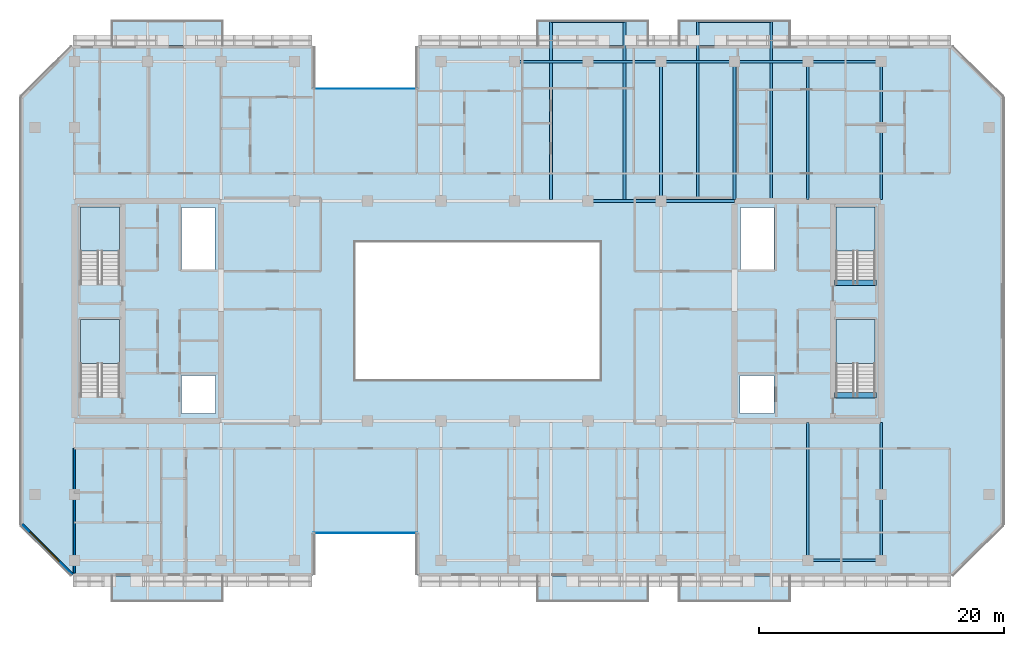
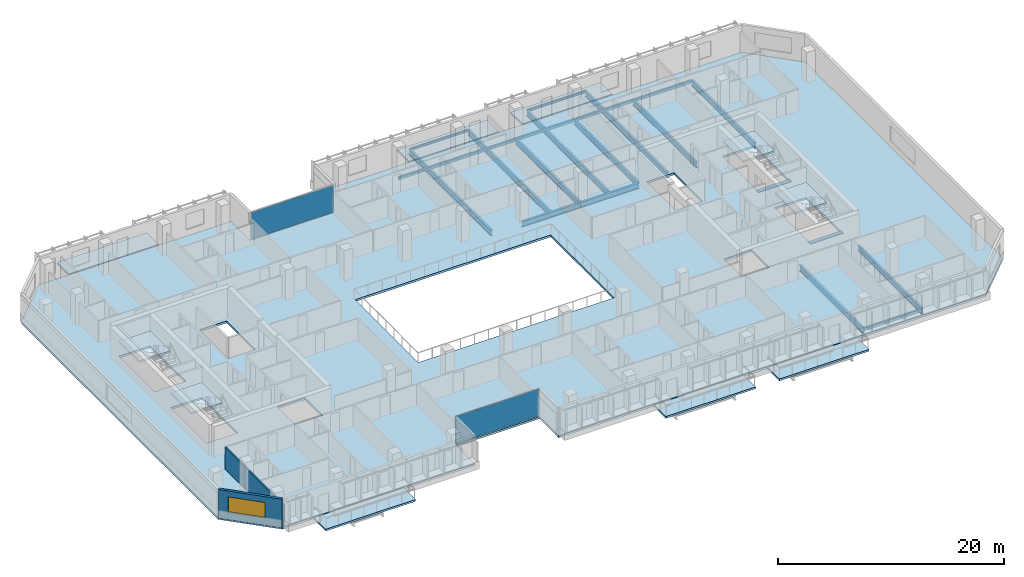
# One storey, part 8 of 20: 22 beams, 11 slabs, 2 plates, 2 walls, 1 window, 1 opening, 6 elements without a shape of their own.
"""IFC4 building model written with IfcOpenShell, lengths in metres."""

from ifc_helpers import new_model, si_unit, direction, frame, frame_2d, origin, origin_2d, place, context, subcontext, project, spatial, polyline, rectangle, hollow_rectangle, i_section, outline, extrude, material, layer, layer_set, material_profile, profile_set, type_object, element, fill, aggregate, save


model = new_model("IFC4")

# Units and contexts
model_context = context("Model", 3, precision=1e-05, world=origin(), true_north=direction((0.0, 1.0)))
body_context = subcontext(model_context, "Body", "Model", "MODEL_VIEW")
ifc_project = project(units=[si_unit("LENGTHUNIT", "METRE"), si_unit("AREAUNIT", "SQUARE_METRE"), si_unit("VOLUMEUNIT", "CUBIC_METRE"), si_unit("PLANEANGLEUNIT", "RADIAN"), si_unit("MASSUNIT", "GRAM", prefix="KILO")], contexts=[model_context])

# Site, building, storey
site_placement = place(None, origin())
site = spatial("IfcSite", under=ifc_project, at=site_placement, CompositionType="ELEMENT")
building_placement = place(site_placement, origin())
building = spatial("IfcBuilding", under=site, at=building_placement, Name="Tanjung Sevakor Pilgrim Tower", CompositionType="ELEMENT")
storey_placement = place(building_placement, frame((0.0, 0.0, 141.89990234375)))
storey = spatial("IfcBuildingStorey", under=building, at=storey_placement, Name="L39", CompositionType="ELEMENT", Elevation=141.89990234375)

# Beams
ifc_material_1 = material(Name="Steel S355J2", Category="steel")
ifc_material_profile_1 = material_profile(ifc_material_1, i_section(OverallWidth=0.230224609375, OverallDepth=0.6171875, WebThickness=0.01318359375, FlangeThickness=0.022216796875, FilletRadius=0.0126953125, at=origin_2d()))
ifc_profile_set_1 = profile_set([ifc_material_profile_1], Name="Steel S355J2")
beam_type_1 = type_object("IfcBeamType", Name="BM-B-G3-UB_610x229x140", PredefinedType="BEAM", material=ifc_profile_set_1)
for number, where, z_axis, x_axis, name in (
    (1, (66.0, 42.60009765625, -0.528564453125), (1.0, 0.0, 0.0), (0.0, 1.0, 0.0), "L39 Primary Floor Girder MAIN Y426-06"),
    (2, (72.0, 42.60009765625, -0.528564453125), (1.0, 0.0, 0.0), (0.0, 1.0, 0.0), "L39 Primary Floor Girder MAIN Y426-07"),
):
    element("IfcBeam", number, at=place(storey_placement, frame(where, z_axis=z_axis, x_axis=x_axis)), inside=storey, type_object=beam_type_1, Name=name, PredefinedType="BEAM", context=body_context, shape_type="SweptSolid", body=[
        extrude(i_section(OverallWidth=0.230224609375, OverallDepth=0.6171875, WebThickness=0.01318359375, FlangeThickness=0.022216796875, FilletRadius=0.0126953125, at=origin_2d()), origin(), (0.0, 0.0, 1.0), 6.0),
    ])
ifc_material_2 = material(Name="Steel S355J2", Category="steel")
ifc_material_profile_2 = material_profile(ifc_material_2, i_section(OverallWidth=0.22900390625, OverallDepth=0.6123046875, WebThickness=0.011962890625, FlangeThickness=0.01953125, FilletRadius=0.0126953125, at=origin_2d()))
ifc_profile_set_2 = profile_set([ifc_material_profile_2], Name="Steel S355J2")
beam_type_2 = type_object("IfcBeamType", Name="BM-B-G4-UB_610x229x125", PredefinedType="BEAM", material=ifc_profile_set_2)
for number, where, z_axis, x_axis, name in (
    (3, (63.0, 42.715087890625, -0.526123046875), (0.0, 1.0, 0.0), (-1.0, 0.0, 0.0), "L39 Balcony Cantilever Beam MAIN-N2-1"),
    (4, (69.0, 42.715087890625, -0.526123046875), (0.0, 1.0, 0.0), (-1.0, 0.0, 0.0), "L39 Balcony Cantilever Beam MAIN-N2-2"),
):
    element("IfcBeam", number, at=place(storey_placement, frame(where, z_axis=z_axis, x_axis=x_axis)), inside=storey, type_object=beam_type_2, Name=name, PredefinedType="BEAM", context=body_context, shape_type="SweptSolid", body=[
        extrude(i_section(OverallWidth=0.22900390625, OverallDepth=0.6123046875, WebThickness=0.011962890625, FlangeThickness=0.01953125, FilletRadius=0.0126953125, at=origin_2d()), origin(), (0.0, 0.0, 1.0), 14.56494140625),
    ])
beam_1_placement = place(storey_placement, frame((72.0, 42.60009765625, -0.526123046875), z_axis=(0.0, 1.0, 0.0), x_axis=(-1.0, 0.0, 0.0)))
element("IfcBeam", 5, at=beam_1_placement, inside=storey, type_object=beam_type_2, Name="L39 MAIN Girder 016", PredefinedType="BEAM", context=body_context, shape_type="SweptSolid", body=[
    extrude(i_section(OverallWidth=0.22900390625, OverallDepth=0.6123046875, WebThickness=0.011962890625, FlangeThickness=0.01953125, FilletRadius=0.0126953125, at=origin_2d()), origin(), (0.0, 0.0, 1.0), 11.39990234375),
])
beam_2_placement = place(storey_placement, frame((75.0, 42.715087890625, -0.526123046875), z_axis=(0.0, 1.0, 0.0), x_axis=(-1.0, 0.0, 0.0)))
element("IfcBeam", 6, at=beam_2_placement, inside=storey, type_object=beam_type_2, Name="L39 Balcony Cantilever Beam MAIN-N3-1", PredefinedType="BEAM", context=body_context, shape_type="SweptSolid", body=[
    extrude(i_section(OverallWidth=0.22900390625, OverallDepth=0.6123046875, WebThickness=0.011962890625, FlangeThickness=0.01953125, FilletRadius=0.0126953125, at=origin_2d()), origin(), (0.0, 0.0, 1.0), 14.56494140625),
])
beam_3_placement = place(storey_placement, frame((78.0, 42.715087890625, -0.526123046875), z_axis=(0.0, 1.0, 0.0), x_axis=(-1.0, 0.0, 0.0)))
element("IfcBeam", 7, at=beam_3_placement, inside=storey, type_object=beam_type_2, Name="L39 MAIN Girder 018", PredefinedType="BEAM", context=body_context, shape_type="SweptSolid", body=[
    extrude(i_section(OverallWidth=0.22900390625, OverallDepth=0.6123046875, WebThickness=0.011962890625, FlangeThickness=0.01953125, FilletRadius=0.0126953125, at=origin_2d()), origin(), (0.0, 0.0, 1.0), 11.284912109375),
])
beam_4_placement = place(storey_placement, frame((81.0, 42.715087890625, -0.526123046875), z_axis=(0.0, 1.0, 0.0), x_axis=(-1.0, 0.0, 0.0)))
element("IfcBeam", 8, at=beam_4_placement, inside=storey, type_object=beam_type_2, Name="L39 Balcony Cantilever Beam MAIN-N3-2", PredefinedType="BEAM", context=body_context, shape_type="SweptSolid", body=[
    extrude(i_section(OverallWidth=0.22900390625, OverallDepth=0.6123046875, WebThickness=0.011962890625, FlangeThickness=0.01953125, FilletRadius=0.0126953125, at=origin_2d()), origin(), (0.0, 0.0, 1.0), 14.56494140625),
])
for number, where, z_axis, x_axis, name in (
    (9, (84.0, 13.199951171875, -0.526123046875), (0.0, 1.0, 0.0), (-1.0, 0.0, 0.0), "L39 MAIN Girder 019"),
    (10, (84.0, 42.715087890625, -0.526123046875), (0.0, 1.0, 0.0), (-1.0, 0.0, 0.0), "L39 MAIN Girder 020"),
    (11, (90.0, 13.199951171875, -0.526123046875), (0.0, 1.0, 0.0), (-1.0, 0.0, 0.0), "L39 MAIN Girder 021"),
    (12, (90.0, 42.715087890625, -0.526123046875), (0.0, 1.0, 0.0), (-1.0, 0.0, 0.0), "L39 MAIN Girder 022"),
):
    element("IfcBeam", number, at=place(storey_placement, frame(where, z_axis=z_axis, x_axis=x_axis)), inside=storey, type_object=beam_type_2, Name=name, PredefinedType="BEAM", context=body_context, shape_type="SweptSolid", body=[
        extrude(i_section(OverallWidth=0.22900390625, OverallDepth=0.6123046875, WebThickness=0.011962890625, FlangeThickness=0.01953125, FilletRadius=0.0126953125, at=origin_2d()), origin(), (0.0, 0.0, 1.0), 11.284912109375),
    ])
ifc_material_3 = material(Name="Steel S355J2", Category="steel")
ifc_material_profile_3 = material_profile(ifc_material_3, i_section(OverallWidth=0.146484375, OverallDepth=0.256103515625, WebThickness=0.00634765625, FlangeThickness=0.010986328125, FilletRadius=0.007568359375, at=origin_2d()))
ifc_profile_set_3 = profile_set([ifc_material_profile_3], Name="Steel S355J2")
beam_type_3 = type_object("IfcBeamType", Name="BM-B-J6-UB_254x146x37", PredefinedType="JOIST", material=ifc_profile_set_3)
for number, where, z_axis, x_axis, name in (
    (13, (63.0, 57.280029296875, -0.327880859375), (1.0, 0.0, 0.0), (0.0, 1.0, 0.0), "L39 Balcony Rim Tie MAIN-N2"),
    (14, (75.0, 57.280029296875, -0.327880859375), (1.0, 0.0, 0.0), (0.0, 1.0, 0.0), "L39 Balcony Rim Tie MAIN-N3"),
):
    element("IfcBeam", number, at=place(storey_placement, frame(where, z_axis=z_axis, x_axis=x_axis)), inside=storey, type_object=beam_type_3, Name=name, PredefinedType="JOIST", context=body_context, shape_type="SweptSolid", body=[
        extrude(i_section(OverallWidth=0.146484375, OverallDepth=0.256103515625, WebThickness=0.00634765625, FlangeThickness=0.010986328125, FilletRadius=0.007568359375, at=origin_2d()), origin(), (0.0, 0.0, 1.0), 6.0),
    ])
ifc_material_4 = material(Name="Concrete C60/75", Category="concrete")
ifc_material_profile_4 = material_profile(ifc_material_4, rectangle(XDim=0.449951171875, YDim=0.699951171875, at=origin_2d()))
ifc_profile_set_4 = profile_set([ifc_material_profile_4], Name="Concrete C60/75")
beam_type_4 = type_object("IfcBeamType", Name="BM-B-LN3-RC-BM_450x700", PredefinedType="LINTEL", material=ifc_profile_set_4)
for number, where, z_axis, x_axis, name in (
    (15, (86.199951171875, 26.699951171875, -0.349853515625), (1.0, 0.0, 0.0), (0.0, 1.0, 0.0), "L39 TS-E1 Stair Threshold Beam"),
    (16, (86.199951171875, 35.89990234375, -0.349853515625), (1.0, 0.0, 0.0), (0.0, 1.0, 0.0), "L39 TS-E2 Stair Threshold Beam"),
):
    element("IfcBeam", number, at=place(storey_placement, frame(where, z_axis=z_axis, x_axis=x_axis)), inside=storey, type_object=beam_type_4, Name=name, PredefinedType="LINTEL", context=body_context, shape_type="SweptSolid", body=[
        extrude(rectangle(XDim=0.449951171875, YDim=0.699951171875, at=origin_2d()), origin(), (0.0, 0.0, 1.0), 3.400146484375),
    ])
ifc_material_5 = material(Name="Steel S355J2", Category="steel")
ifc_material_profile_5 = material_profile(ifc_material_5, hollow_rectangle(XDim=0.199951171875, YDim=0.300048828125, WallThickness=0.012451171875, at=origin_2d()))
ifc_profile_set_5 = profile_set([ifc_material_profile_5], Name="Steel S355J2")
beam_type_5 = type_object("IfcBeamType", Name="BM-B-SP3-RHS_300x200x12.5", PredefinedType="SPANDREL", material=ifc_profile_set_5)
for number, where, z_axis, x_axis, name in (
    (17, (60.0, 54.0, -0.369873046875), (1.0, 0.0, 0.0), (0.0, 1.0, 0.0), "L39 Spandrel MAIN N-10"),
    (18, (66.0, 54.0, -0.369873046875), (1.0, 0.0, 0.0), (0.0, 1.0, 0.0), "L39 Spandrel MAIN N-12"),
    (19, (72.0, 54.0, -0.369873046875), (1.0, 0.0, 0.0), (0.0, 1.0, 0.0), "L39 Spandrel MAIN N-14"),
    (20, (78.0, 54.0, -0.369873046875), (1.0, 0.0, 0.0), (0.0, 1.0, 0.0), "L39 Spandrel MAIN N-16"),
    (21, (84.0, 13.199951171875, -0.369873046875), (1.0, 0.0, 0.0), (0.0, 1.0, 0.0), "L39 Spandrel MAIN S-17"),
    (22, (84.0, 54.0, -0.369873046875), (1.0, 0.0, 0.0), (0.0, 1.0, 0.0), "L39 Spandrel MAIN N-18"),
):
    element("IfcBeam", number, at=place(storey_placement, frame(where, z_axis=z_axis, x_axis=x_axis)), inside=storey, type_object=beam_type_5, Name=name, PredefinedType="SPANDREL", context=body_context, shape_type="SweptSolid", body=[
        extrude(hollow_rectangle(XDim=0.199951171875, YDim=0.300048828125, WallThickness=0.012451171875, at=origin_2d()), origin(), (0.0, 0.0, 1.0), 6.0),
    ])

# Slabs
ifc_material_6 = material(Name="Concrete C40/50", Category="concrete")
ifc_layer_1 = layer(ifc_material_6, 0.199951171875)
ifc_layer_set_1 = layer_set([ifc_layer_1], Name="SL-BAL-200")
slab_type_1 = type_object("IfcSlabType", Name="SL-BAL-200", PredefinedType="FLOOR", material=ifc_layer_set_1)
slab_1_placement = place(storey_placement, frame((0.0, 0.0, -0.199951171875)))
element("IfcSlab", 23, at=slab_1_placement, inside=storey, type_object=slab_type_1, Name="L39 Planted Loggia Balcony MAIN-S1", PredefinedType="FLOOR", context=body_context, shape_type="SweptSolid", body=[
    extrude(outline(polyline([(27.0, 9.800048828125), (36.199951171875, 9.800048828125), (36.199951171875, 11.89990234375), (27.0, 11.89990234375), (27.0, 9.800048828125)])), origin(), (0.0, 0.0, 1.0), 0.199951171875),
])
slab_2_placement = place(storey_placement, frame((0.0, 0.0, -0.199951171875)))
element("IfcSlab", 24, at=slab_2_placement, inside=storey, type_object=slab_type_1, Name="L39 Planted Loggia Balcony MAIN-N1", PredefinedType="FLOOR", context=body_context, shape_type="SweptSolid", body=[
    extrude(outline(polyline([(27.0, 55.300048828125), (36.199951171875, 55.300048828125), (36.199951171875, 57.39990234375), (27.0, 57.39990234375), (27.0, 55.300048828125)])), origin(), (0.0, 0.0, 1.0), 0.199951171875),
])
slab_3_placement = place(storey_placement, frame((0.0, 0.0, -0.199951171875)))
element("IfcSlab", 25, at=slab_3_placement, inside=storey, type_object=slab_type_1, Name="L39 Planted Loggia Balcony MAIN-S2", PredefinedType="FLOOR", context=body_context, shape_type="SweptSolid", body=[
    extrude(outline(polyline([(61.800048828125, 9.800048828125), (71.0, 9.800048828125), (71.0, 11.89990234375), (61.800048828125, 11.89990234375), (61.800048828125, 9.800048828125)])), origin(), (0.0, 0.0, 1.0), 0.199951171875),
])
slab_4_placement = place(storey_placement, frame((0.0, 0.0, -0.199951171875)))
element("IfcSlab", 26, at=slab_4_placement, inside=storey, type_object=slab_type_1, Name="L39 Planted Loggia Balcony MAIN-N2", PredefinedType="FLOOR", context=body_context, shape_type="SweptSolid", body=[
    extrude(outline(polyline([(61.800048828125, 55.300048828125), (71.0, 55.300048828125), (71.0, 57.39990234375), (61.800048828125, 57.39990234375), (61.800048828125, 55.300048828125)])), origin(), (0.0, 0.0, 1.0), 0.199951171875),
])
slab_5_placement = place(storey_placement, frame((0.0, 0.0, -0.199951171875)))
element("IfcSlab", 27, at=slab_5_placement, inside=storey, type_object=slab_type_1, Name="L39 Planted Loggia Balcony MAIN-S3", PredefinedType="FLOOR", context=body_context, shape_type="SweptSolid", body=[
    extrude(outline(polyline([(73.39990234375, 9.800048828125), (82.60009765625, 9.800048828125), (82.60009765625, 11.89990234375), (73.39990234375, 11.89990234375), (73.39990234375, 9.800048828125)])), origin(), (0.0, 0.0, 1.0), 0.199951171875),
])
slab_6_placement = place(storey_placement, frame((0.0, 0.0, -0.199951171875)))
element("IfcSlab", 28, at=slab_6_placement, inside=storey, type_object=slab_type_1, Name="L39 Planted Loggia Balcony MAIN-N3", PredefinedType="FLOOR", context=body_context, shape_type="SweptSolid", body=[
    extrude(outline(polyline([(73.39990234375, 55.300048828125), (82.60009765625, 55.300048828125), (82.60009765625, 57.39990234375), (73.39990234375, 57.39990234375), (73.39990234375, 55.300048828125)])), origin(), (0.0, 0.0, 1.0), 0.199951171875),
])

# Stair, slab
ifc_material_7 = material(Name="Concrete C40/50", Category="concrete")
stair_type = type_object("IfcStairType", Name="STAIR-ST-CR150", PredefinedType="HALF_TURN_STAIR", material=ifc_material_7)
stair_1_placement = place(storey_placement, origin())
stair_1 = element("IfcStair", 29, at=stair_1_placement, inside=storey, type_object=stair_type, Name="L39 West Core Exit Stair 1", PredefinedType="HALF_TURN_STAIR")
ifc_material_8 = material(Name="Concrete C40/50", Category="concrete")
ifc_layer_2 = layer(ifc_material_8, 0.199951171875)
ifc_layer_set_2 = layer_set([ifc_layer_2], Name="SL-LAND-200")
slab_type_2 = type_object("IfcSlabType", Name="SL-LAND-200", PredefinedType="LANDING", material=ifc_layer_set_2)
slab_7_placement = place(storey_placement, frame((0.0, 0.0, 1.4501953125)))
slab_7 = element("IfcSlab", 30, at=slab_7_placement, type_object=slab_type_2, Name="TS-W1 landing 1", PredefinedType="LANDING", context=body_context, shape_type="SweptSolid", body=[
    extrude(outline(polyline([(27.699951171875, 29.300048828125), (27.699951171875, 32.89990234375), (24.5, 32.89990234375), (24.5, 29.300048828125), (27.699951171875, 29.300048828125)])), origin(), (0.0, 0.0, 1.0), 0.199951171875),
])
aggregate(stair_1, [slab_7])

stair_2_placement = place(storey_placement, origin())
stair_2 = element("IfcStair", 31, at=stair_2_placement, inside=storey, type_object=stair_type, Name="L39 West Core Exit Stair 2", PredefinedType="HALF_TURN_STAIR")
slab_8_placement = place(storey_placement, frame((0.0, 0.0, 1.4501953125)))
slab_8 = element("IfcSlab", 32, at=slab_8_placement, type_object=slab_type_2, Name="TS-W2 landing 1", PredefinedType="LANDING", context=body_context, shape_type="SweptSolid", body=[
    extrude(outline(polyline([(27.699951171875, 38.5), (27.699951171875, 42.10009765625), (24.5, 42.10009765625), (24.5, 38.5), (27.699951171875, 38.5)])), origin(), (0.0, 0.0, 1.0), 0.199951171875),
])
aggregate(stair_2, [slab_8])

stair_3_placement = place(storey_placement, origin())
stair_3 = element("IfcStair", 33, at=stair_3_placement, inside=storey, type_object=stair_type, Name="L39 East Core Exit Stair 1", PredefinedType="HALF_TURN_STAIR")
slab_9_placement = place(storey_placement, frame((0.0, 0.0, 1.4501953125)))
slab_9 = element("IfcSlab", 34, at=slab_9_placement, type_object=slab_type_2, Name="TS-E1 landing 1", PredefinedType="LANDING", context=body_context, shape_type="SweptSolid", body=[
    extrude(outline(polyline([(89.5, 29.300048828125), (89.5, 32.89990234375), (86.300048828125, 32.89990234375), (86.300048828125, 29.300048828125), (89.5, 29.300048828125)])), origin(), (0.0, 0.0, 1.0), 0.199951171875),
])
aggregate(stair_3, [slab_9])

stair_4_placement = place(storey_placement, origin())
stair_4 = element("IfcStair", 35, at=stair_4_placement, inside=storey, type_object=stair_type, Name="L39 East Core Exit Stair 2", PredefinedType="HALF_TURN_STAIR")
slab_10_placement = place(storey_placement, frame((0.0, 0.0, 1.4501953125)))
slab_10 = element("IfcSlab", 36, at=slab_10_placement, type_object=slab_type_2, Name="TS-E2 landing 1", PredefinedType="LANDING", context=body_context, shape_type="SweptSolid", body=[
    extrude(outline(polyline([(89.5, 38.5), (89.5, 42.10009765625), (86.300048828125, 42.10009765625), (86.300048828125, 38.5), (89.5, 38.5)])), origin(), (0.0, 0.0, 1.0), 0.199951171875),
])
aggregate(stair_4, [slab_10])

# Slab
ifc_material_9 = material(Name="Concrete C40/50", Category="concrete")
ifc_layer_3 = layer(ifc_material_9, 0.219970703125)
ifc_layer_set_3 = layer_set([ifc_layer_3], Name="SL-TWR-220")
slab_type_3 = type_object("IfcSlabType", Name="SL-TWR-220", PredefinedType="FLOOR", material=ifc_layer_set_3)
slab_11_placement = place(storey_placement, frame((0.0, 0.0, -0.219970703125)))
element("IfcSlab", 37, at=slab_11_placement, inside=storey, type_object=slab_type_3, Name="L39 Floor Slab MAIN", PredefinedType="FLOOR", context=body_context, shape_type="SweptSolid", body=[
    extrude(outline(polyline([(23.846923828125, 11.97998046875), (43.52001953125, 11.97998046875), (43.52001953125, 15.3798828125), (52.080078125, 15.3798828125), (52.080078125, 11.97998046875), (95.753173828125, 11.97998046875), (99.919921875, 16.14697265625), (99.919921875, 51.052978515625), (95.753173828125, 55.219970703125), (52.080078125, 55.219970703125), (52.080078125, 51.820068359375), (43.52001953125, 51.820068359375), (43.52001953125, 55.219970703125), (23.846923828125, 55.219970703125), (19.679931640625, 51.052978515625), (19.679931640625, 16.14697265625), (23.846923828125, 11.97998046875)]), holes=[polyline([(27.699951171875, 26.60009765625), (27.699951171875, 32.89990234375), (24.5, 32.89990234375), (24.5, 26.60009765625), (27.699951171875, 26.60009765625)]), polyline([(27.699951171875, 35.800048828125), (27.699951171875, 42.10009765625), (24.5, 42.10009765625), (24.5, 35.800048828125), (27.699951171875, 35.800048828125)]), polyline([(89.5, 26.60009765625), (89.5, 32.89990234375), (86.300048828125, 32.89990234375), (86.300048828125, 26.60009765625), (89.5, 26.60009765625)]), polyline([(89.5, 35.800048828125), (89.5, 42.10009765625), (86.300048828125, 42.10009765625), (86.300048828125, 35.800048828125), (89.5, 35.800048828125)]), polyline([(32.75, 25.199951171875), (35.550048828125, 25.199951171875), (35.550048828125, 28.300048828125), (32.75, 28.300048828125), (32.75, 25.199951171875)]), polyline([(32.75, 37.0), (35.5, 37.0), (35.5, 42.050048828125), (32.75, 42.050048828125), (32.75, 37.0)]), polyline([(78.449951171875, 25.199951171875), (81.25, 25.199951171875), (81.25, 28.300048828125), (78.449951171875, 28.300048828125), (78.449951171875, 25.199951171875)]), polyline([(78.5, 37.0), (81.25, 37.0), (81.25, 42.050048828125), (78.5, 42.050048828125), (78.5, 37.0)]), polyline([(47.0, 28.0), (67.0, 28.0), (67.0, 39.199951171875), (47.0, 39.199951171875), (47.0, 28.0)])]), origin(), (0.0, 0.0, 1.0), 0.219970703125),
])

# Curtain wall, plate
ifc_material_10 = material(Name="Aluminium 6063-T6 and Low-E Glass", Category="aluminium")
ifc_layer_4 = layer(ifc_material_10, 0.179931640625)
ifc_layer_set_4 = layer_set([ifc_layer_4], Name="CW-SYS-CLEFT")
curtain_wall_type = type_object("IfcCurtainWallType", Name="CW-SYS-CLEFT", PredefinedType="NOTDEFINED", material=ifc_layer_set_4)
curtain_wall_1_placement = place(storey_placement, origin())
curtain_wall_1 = element("IfcCurtainWall", 38, at=curtain_wall_1_placement, inside=storey, type_object=curtain_wall_type, Name="L39 Curtain Wall CW-CLF-L39-2", PredefinedType="NOTDEFINED")
ifc_material_11 = material(Name="Laminated Low-E Double Glazing", Category="glass")
ifc_layer_5 = layer(ifc_material_11, 0.028076171875)
ifc_layer_set_5 = layer_set([ifc_layer_5], Name="TYPE-CWP-GLZ1")
plate_type = type_object("IfcPlateType", Name="TYPE-CWP-GLZ1", PredefinedType="CURTAIN_PANEL", material=ifc_layer_set_5)
plate_1_placement = place(storey_placement, frame((47.800048828125, 15.425048828125, 0.06494140625), z_axis=(0.0, 0.0, 1.0), x_axis=(1.0, 0.0, 0.0)))
plate_1 = element("IfcPlate", 39, at=plate_1_placement, type_object=plate_type, Name="CW-CLF panel 1.1", PredefinedType="CURTAIN_PANEL", context=body_context, shape_type="SweptSolid", body=[
    extrude(rectangle(XDim=8.5, YDim=0.028076171875, at=origin_2d()), origin(), (0.0, 0.0, 1.0), 2.949951171875),
])
aggregate(curtain_wall_1, [plate_1])

curtain_wall_2_placement = place(storey_placement, origin())
curtain_wall_2 = element("IfcCurtainWall", 40, at=curtain_wall_2_placement, inside=storey, type_object=curtain_wall_type, Name="L39 Curtain Wall CW-CLF-L39-10", PredefinedType="NOTDEFINED")
plate_2_placement = place(storey_placement, frame((47.800048828125, 51.77490234375, 0.06494140625), z_axis=(0.0, 0.0, 1.0), x_axis=(-1.0, 0.0, 0.0)))
plate_2 = element("IfcPlate", 41, at=plate_2_placement, type_object=plate_type, Name="CW-CLF panel 1.1", PredefinedType="CURTAIN_PANEL", context=body_context, shape_type="SweptSolid", body=[
    extrude(rectangle(XDim=8.5, YDim=0.028076171875, at=origin_2d()), origin(), (0.0, 0.0, 1.0), 2.949951171875),
])
aggregate(curtain_wall_2, [plate_2])

# Wall
ifc_material_12 = material(Name="Concrete C40/50", Category="concrete")
ifc_layer_6 = layer(ifc_material_12, 0.14990234375)
ifc_layer_set_6 = layer_set([ifc_layer_6], Name="WT-COMP-150")
wall_type_1 = type_object("IfcWallType", Name="WT-COMP-150", PredefinedType="SOLIDWALL", material=ifc_layer_set_6)
wall_1_placement = place(storey_placement, frame((24.0, 12.14990234375, 0.0), z_axis=(0.0, 0.0, 1.0), x_axis=(0.0, 1.0, 0.0)))
element("IfcWall", 42, at=wall_1_placement, inside=storey, type_object=wall_type_1, Name="L39 Partition IW-L39-045", PredefinedType="SOLIDWALL", context=body_context, shape_type="SweptSolid", body=[
    extrude(rectangle(XDim=10.2001953125, YDim=0.14990234375, at=frame_2d((5.10009765625, 0.0))), origin(), (0.0, 0.0, 1.0), 2.35009765625),
])

# Wall, opening, window
ifc_material_13 = material(Name="Precast concrete C45/55", Category="concrete")
ifc_layer_7 = layer(ifc_material_13, 0.25)
ifc_layer_set_7 = layer_set([ifc_layer_7], Name="WT-EW-STN3")
wall_type_2 = type_object("IfcWallType", Name="WT-EW-STN3", PredefinedType="SOLIDWALL", material=ifc_layer_set_7)
wall_2_placement = place(storey_placement, frame((19.72509765625, 16.15185546875, 0.0), z_axis=(0.0, 0.0, 1.0), x_axis=(0.70708586489, -0.707127696864, 0.0)))
wall_2 = element("IfcWall", 43, at=wall_2_placement, inside=storey, type_object=wall_type_2, Name="L39 MAIN Sculpted Corner Wall 15", PredefinedType="SOLIDWALL", context=body_context, shape_type="SweptSolid", body=[
    extrude(rectangle(XDim=5.836181640625, YDim=0.25, at=frame_2d((2.91796875, 0.0))), origin(), (0.0, 0.0, 1.0), 3.080078125),
])
opening_placement = place(wall_2_placement, frame((0.898193359375, 0.0, 0.780029296875)))
opening = element("IfcOpeningElement", 44, at=opening_placement, cuts=wall_2, Name="Opening WN-CHM-1660", PredefinedType="OPENING", context=body_context, shape_type="SweptSolid", body=[
    extrude(rectangle(XDim=3.39990234375, YDim=1.659912109375, at=frame_2d((1.699951171875, 0.830078125))), frame((0.0, 0.135009765625, 0.0), z_axis=(0.0, -1.0, 0.0), x_axis=(1.0, 0.0, 0.0)), (0.0, 0.0, 1.0), 0.27001953125),
])
ifc_material_14 = material(Name="Thermally Broken Aluminium and Low-E Glass", Category="aluminium")
window_type = type_object("IfcWindowType", Name="WTYP-WN-CHM-1660", PartitioningType="DOUBLE_PANEL_VERTICAL", PredefinedType="WINDOW", material=ifc_material_14)
window_placement = place(opening_placement, origin())
window = element("IfcWindow", 45, at=window_placement, inside=storey, type_object=window_type, Name="L39 Facade Window 01", OverallHeight=1.659912109375, OverallWidth=3.39990234375, PartitioningType="SINGLE_PANEL", PredefinedType="WINDOW", context=body_context, shape_type="SweptSolid", body=[
    extrude(rectangle(XDim=3.39990234375, YDim=1.659912109375, at=frame_2d((1.699951171875, 0.830078125))), frame((0.0, 0.030029296875, 0.0), z_axis=(0.0, -1.0, 0.0), x_axis=(1.0, 0.0, 0.0)), (0.0, 0.0, 1.0), 0.06005859375),
])
fill(opening, window)

save(model, "model.ifc")
